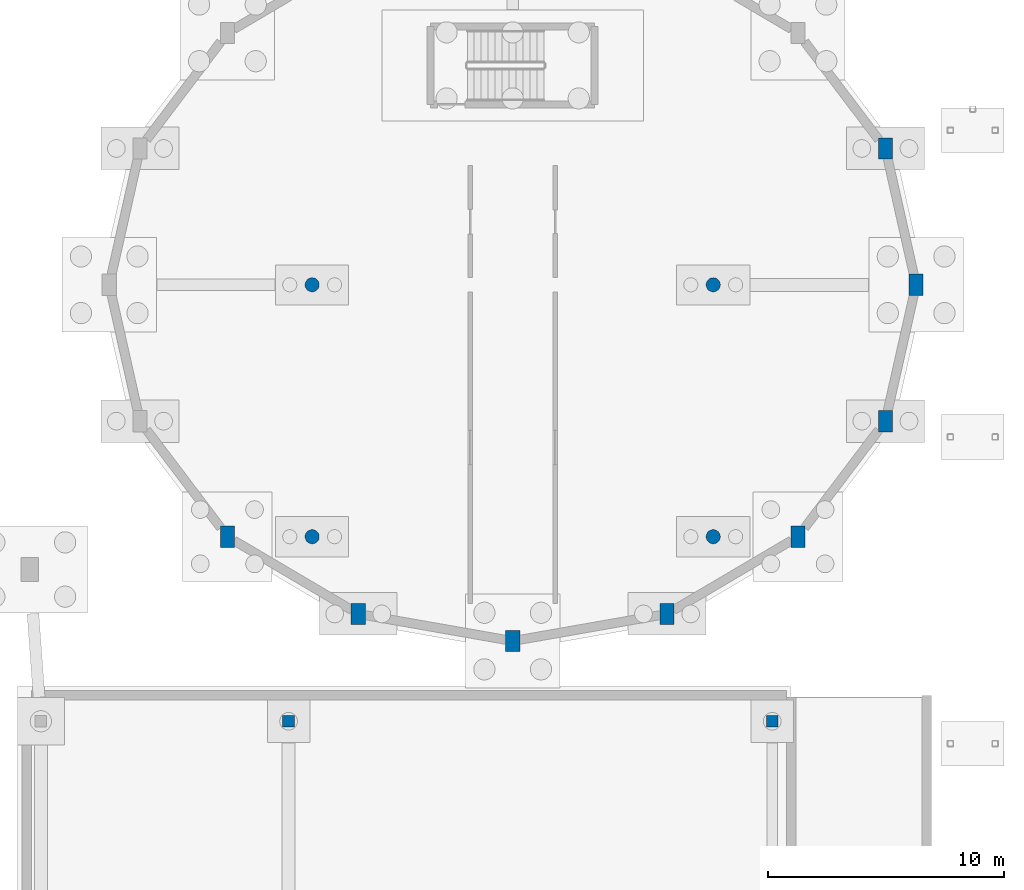
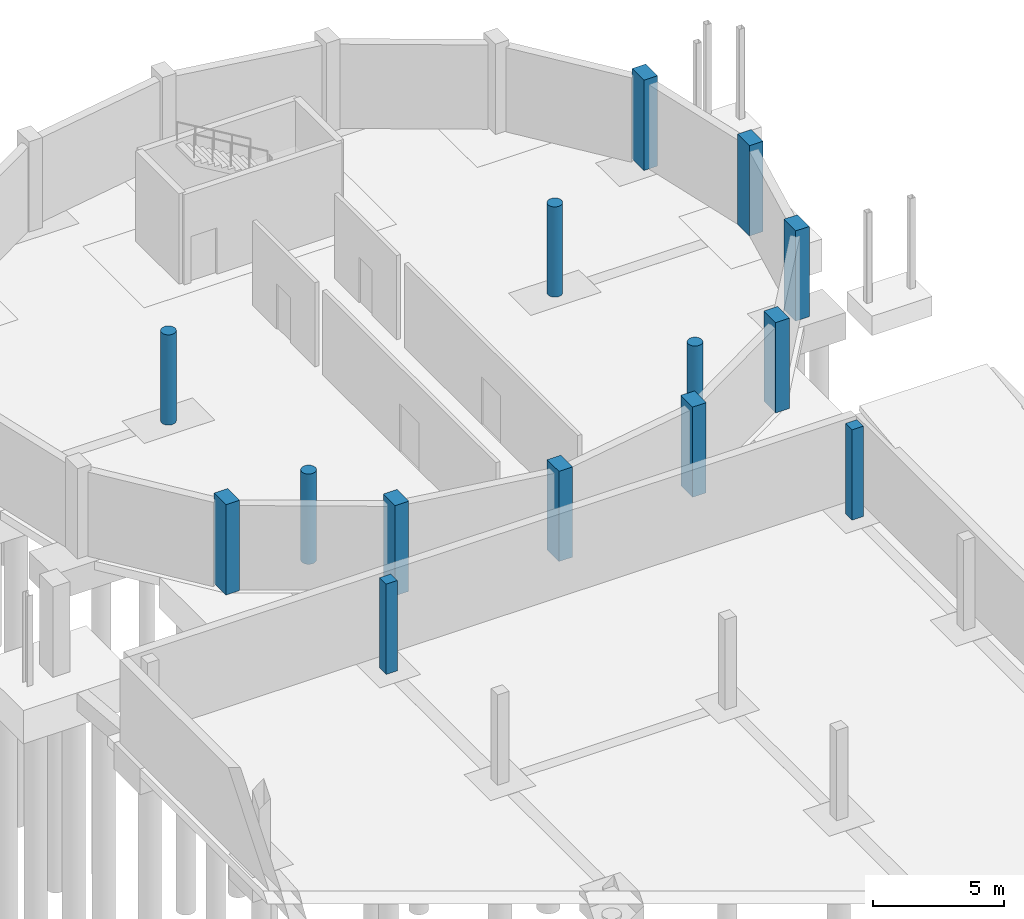
# One storey, part 25 of 43: 14 columns.
"""IFC4 building model written with IfcOpenShell, lengths in metres."""

from ifc_helpers import new_model, si_unit, direction, frame, origin, origin_2d, place, context, subcontext, project, spatial, rectangle, circle, extrude, material, material_profile, profile_set, type_object, element, save


model = new_model("IFC4")

# Units and contexts
model_context = context("Model", 3, precision=1e-05, world=origin(), true_north=direction((0.0, 1.0)))
body_context = subcontext(model_context, "Body", "Model", "MODEL_VIEW")
ifc_project = project(units=[si_unit("LENGTHUNIT", "METRE"), si_unit("AREAUNIT", "SQUARE_METRE"), si_unit("VOLUMEUNIT", "CUBIC_METRE"), si_unit("PLANEANGLEUNIT", "RADIAN"), si_unit("MASSUNIT", "GRAM", prefix="KILO")], contexts=[model_context])

# Site, building, storey
site_placement = place(None, origin())
site = spatial("IfcSite", under=ifc_project, at=site_placement, CompositionType="ELEMENT")
building_placement = place(site_placement, origin())
building = spatial("IfcBuilding", under=site, at=building_placement, Name="Vespera Passage Community Centre", CompositionType="ELEMENT")
storey_placement = place(building_placement, frame((0.0, 0.0, -4.199951171875)))
storey = spatial("IfcBuildingStorey", under=building, at=storey_placement, Name="B1", CompositionType="ELEMENT", Elevation=-4.199951171875)

# Columns
ifc_material_1 = material(Name="Concrete f'c 45 MPa", Category="concrete")
ifc_material_profile_1 = material_profile(ifc_material_1, rectangle(XDim=0.5, YDim=0.5, at=origin_2d()), Name="RC500X500")
ifc_profile_set_1 = profile_set([ifc_material_profile_1], Name="Concrete f'c 45 MPa")
column_type_1 = type_object("IfcColumnType", Name="COL-RC500I", PredefinedType="COLUMN", material=ifc_profile_set_1)
for number, where, z_axis, x_axis, name in (
    (1, (133.5, 71.0, 0.0), (0.0, 0.0, 1.0), (1.0, 0.0, 0.0), "B1 Column GAR-C24"),
    (2, (154.0, 71.0, 0.0), (0.0, 0.0, 1.0), (1.0, 0.0, 0.0), "B1 Column GAR-C44"),
):
    element("IfcColumn", number, at=place(storey_placement, frame(where, z_axis=z_axis, x_axis=x_axis)), inside=storey, type_object=column_type_1, Name=name, PredefinedType="COLUMN", context=body_context, shape_type="SweptSolid", body=[
        extrude(rectangle(XDim=0.5, YDim=0.5, at=origin_2d()), origin(), (0.0, 0.0, 1.0), 4.199951171875),
    ])
ifc_material_2 = material(Name="Concrete f'c 45 MPa", Category="concrete")
ifc_material_profile_2 = material_profile(ifc_material_2, circle(Radius=0.300048828125, at=origin_2d()), Name="RC600DIA")
ifc_profile_set_2 = profile_set([ifc_material_profile_2], Name="Concrete f'c 45 MPa")
column_type_2 = type_object("IfcColumnType", Name="COL-RC600DIA", PredefinedType="COLUMN", material=ifc_profile_set_2)
for number, where, z_axis, x_axis, name in (
    (3, (134.5, 78.82275390625, 0.0), (0.0, 0.0, 1.0), (1.0, 0.0, 0.0), "B1 Column V2-B1-11"),
    (4, (134.5, 89.5, 0.0), (0.0, 0.0, 1.0), (1.0, 0.0, 0.0), "B1 Column V2-B1-12"),
    (5, (151.5, 78.82275390625, 0.0), (0.0, 0.0, 1.0), (1.0, 0.0, 0.0), "B1 Column V2-B1-21"),
    (6, (151.5, 89.5, 0.0), (0.0, 0.0, 1.0), (1.0, 0.0, 0.0), "B1 Column V2-B1-22"),
):
    element("IfcColumn", number, at=place(storey_placement, frame(where, z_axis=z_axis, x_axis=x_axis)), inside=storey, type_object=column_type_2, Name=name, PredefinedType="COLUMN", context=body_context, shape_type="SweptSolid", body=[
        extrude(circle(Radius=0.300048828125, at=origin_2d()), origin(), (0.0, 0.0, 1.0), 4.199951171875),
    ])
ifc_material_3 = material(Name="Concrete f'c 45 MPa", Category="concrete")
ifc_material_profile_3 = material_profile(ifc_material_3, rectangle(XDim=0.60009765625, YDim=0.89990234375, at=origin_2d()), Name="RC900X600")
ifc_profile_set_3 = profile_set([ifc_material_profile_3], Name="Concrete f'c 45 MPa")
column_type_3 = type_object("IfcColumnType", Name="COL-RC900X600E", PredefinedType="COLUMN", material=ifc_profile_set_3)
for number, where, z_axis, x_axis, name in (
    (7, (160.10009765625, 89.5, 0.0), (0.0, 0.0, 1.0), (1.0, 0.0, 0.0), "B1 Column V2-P01"),
    (8, (158.79833984375, 95.278564453125, 0.0), (0.0, 0.0, 1.0), (1.0, 0.0, 0.0), "B1 Column V2-P02"),
    (9, (130.908447265625, 78.82275390625, 0.0), (0.0, 0.0, 1.0), (1.0, 0.0, 0.0), "B1 Column V2-P11"),
    (10, (136.4560546875, 75.54931640625, 0.0), (0.0, 0.0, 1.0), (1.0, 0.0, 0.0), "B1 Column V2-P12"),
    (11, (143.0, 74.39990234375, 0.0), (0.0, 0.0, 1.0), (1.0, 0.0, 0.0), "B1 Column V2-P13"),
    (12, (149.5439453125, 75.54931640625, 0.0), (0.0, 0.0, 1.0), (1.0, 0.0, 0.0), "B1 Column V2-P14"),
    (13, (155.091552734375, 78.82275390625, 0.0), (0.0, 0.0, 1.0), (1.0, 0.0, 0.0), "B1 Column V2-P15"),
    (14, (158.79833984375, 83.721435546875, 0.0), (0.0, 0.0, 1.0), (1.0, 0.0, 0.0), "B1 Column V2-P16"),
):
    element("IfcColumn", number, at=place(storey_placement, frame(where, z_axis=z_axis, x_axis=x_axis)), inside=storey, type_object=column_type_3, Name=name, PredefinedType="COLUMN", context=body_context, shape_type="SweptSolid", body=[
        extrude(rectangle(XDim=0.60009765625, YDim=0.89990234375, at=origin_2d()), origin(), (0.0, 0.0, 1.0), 4.199951171875),
    ])

save(model, "model.ifc")
